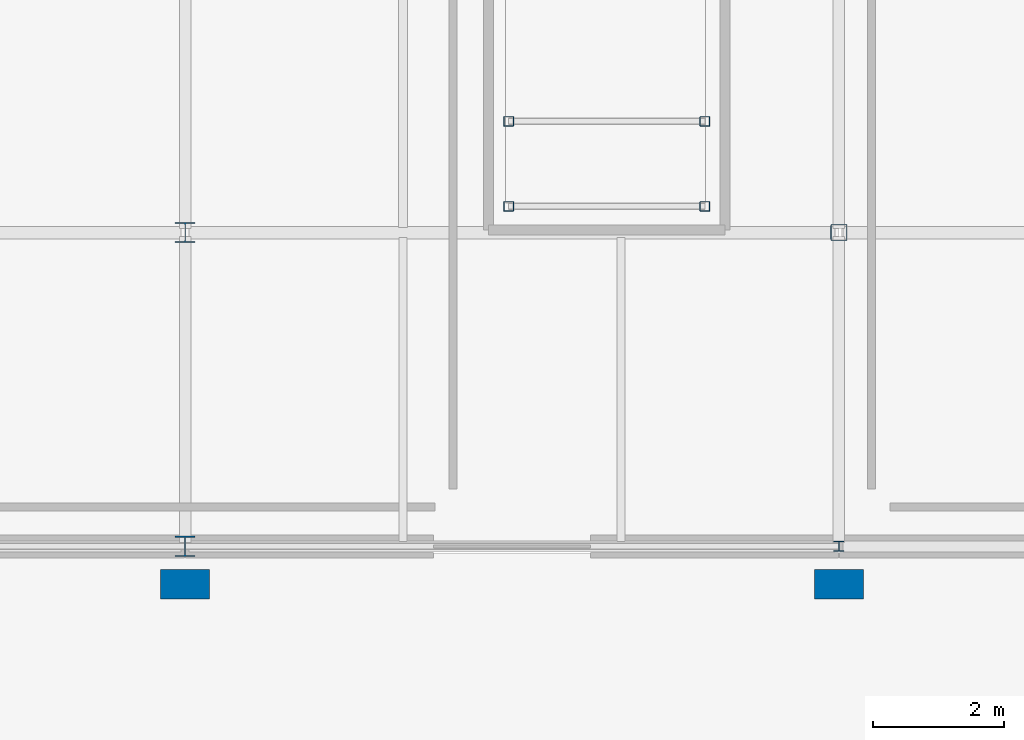
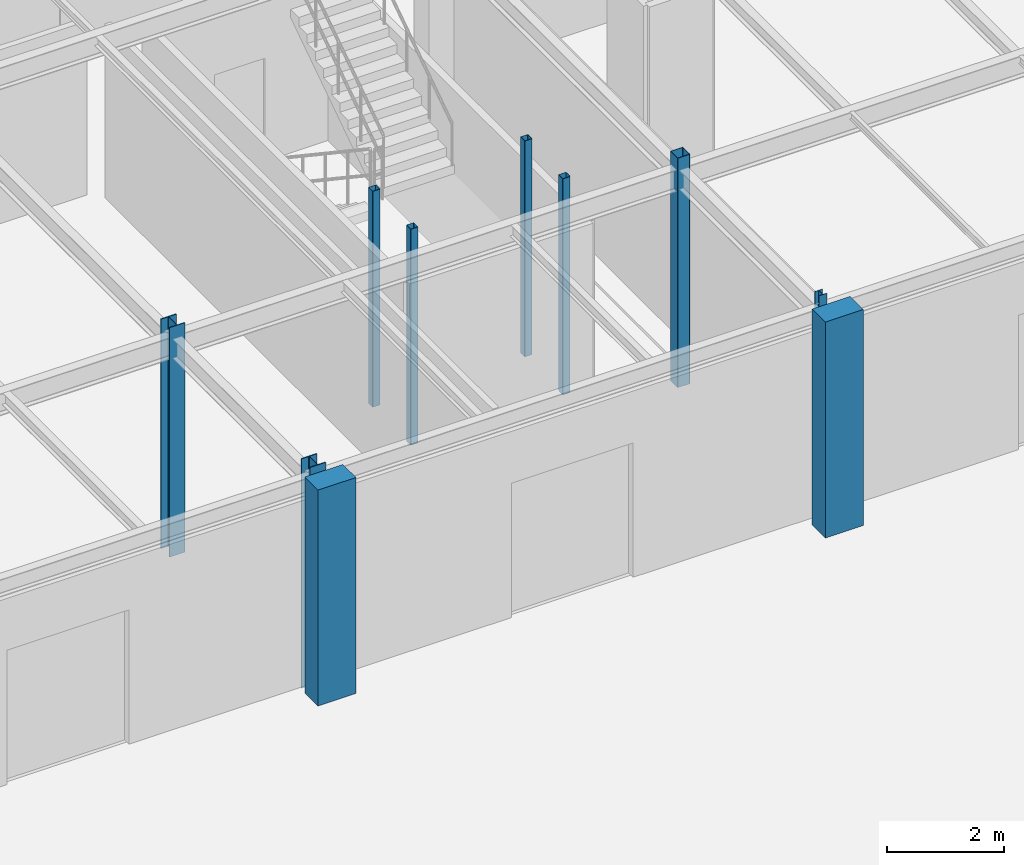
# One storey, part 38 of 119: 10 columns.
"""IFC4 building model written with IfcOpenShell, lengths in metres."""

from ifc_helpers import new_model, si_unit, derived_unit, direction, frame, origin, origin_2d_with_axis, place, context, subcontext, project, spatial, rectangle, hollow_rectangle, i_section, extrude, material, material_profile, profile_set, type_object, element, save


model = new_model("IFC4")

# Units and contexts
model_context = context("Model", 3, precision=1e-05, world=origin(), true_north=direction((0.0, 1.0)))
body_context = subcontext(model_context, "Body", "Model", "MODEL_VIEW")
ifc_project = project(units=[si_unit("LENGTHUNIT", "METRE"), si_unit("AREAUNIT", "SQUARE_METRE"), si_unit("VOLUMEUNIT", "CUBIC_METRE"), si_unit("PLANEANGLEUNIT", "RADIAN"), si_unit("MASSUNIT", "GRAM", prefix="KILO"), derived_unit("THERMALTRANSMITTANCEUNIT", [(si_unit("POWERUNIT", "WATT"), 1), (si_unit("LENGTHUNIT", "METRE"), -2), (si_unit("THERMODYNAMICTEMPERATUREUNIT", "KELVIN"), -1)])], contexts=[model_context])

# Site, building, storey
site_placement = place(None, origin())
site = spatial("IfcSite", under=ifc_project, at=site_placement, CompositionType="ELEMENT")
building_placement = place(site_placement, origin())
building = spatial("IfcBuilding", under=site, at=building_placement, Name="Cinnabar Yard Market Hall", CompositionType="ELEMENT")
storey_placement = place(building_placement, origin())
storey = spatial("IfcBuildingStorey", under=building, at=storey_placement, Name="L00", CompositionType="ELEMENT", Elevation=0.0)

# Columns
ifc_material_1 = material(Name="Steel Grade 300 (300 MPa)", Category="steel")
ifc_material_profile_1 = material_profile(ifc_material_1, i_section(OverallWidth=0.307373046875, OverallDepth=0.314697265625, WebThickness=0.011962890625, FlangeThickness=0.018798828125, FilletRadius=0.0166015625, at=origin_2d_with_axis()), Name="310UC118")
ifc_profile_set_1 = profile_set([ifc_material_profile_1], Name="Steel Grade 300 (300 MPa)")
column_type_1 = type_object("IfcColumnType", Name="COL-C08E", PredefinedType="COLUMN", material=ifc_profile_set_1)
column_1_placement = place(storey_placement, frame((136.0, 108.0, -0.280029296875), z_axis=(0.0, 0.0, 1.0), x_axis=(1.0, 0.0, 0.0)))
element("IfcColumn", 1, at=column_1_placement, inside=storey, type_object=column_type_1, Name="Wing Column V3-08-01 L00", PredefinedType="COLUMN", context=body_context, shape_type="SweptSolid", body=[
    extrude(i_section(OverallWidth=0.307373046875, OverallDepth=0.314697265625, WebThickness=0.011962890625, FlangeThickness=0.018798828125, FilletRadius=0.0166015625, at=origin_2d_with_axis()), origin(), (0.0, 0.0, 1.0), 4.780029296875),
])
ifc_material_profile_2 = material_profile(ifc_material_1, i_section(OverallWidth=0.304931640625, OverallDepth=0.30810546875, WebThickness=0.010009765625, FlangeThickness=0.015380859375, FilletRadius=0.0166015625, at=origin_2d_with_axis()), Name="310UC96.8")
ifc_profile_set_2 = profile_set([ifc_material_profile_2], Name="Steel Grade 300 (300 MPa)")
column_type_2 = type_object("IfcColumnType", Name="COL-C09", PredefinedType="COLUMN", material=ifc_profile_set_2)
column_2_placement = place(storey_placement, frame((136.0, 112.800048828125, -0.280029296875), z_axis=(0.0, 0.0, 1.0), x_axis=(1.0, 0.0, 0.0)))
element("IfcColumn", 2, at=column_2_placement, inside=storey, type_object=column_type_2, Name="Wing Column V3-08-02 L00", PredefinedType="COLUMN", context=body_context, shape_type="SweptSolid", body=[
    extrude(i_section(OverallWidth=0.304931640625, OverallDepth=0.30810546875, WebThickness=0.010009765625, FlangeThickness=0.015380859375, FilletRadius=0.0166015625, at=origin_2d_with_axis()), origin(), (0.0, 0.0, 1.0), 4.780029296875),
])
ifc_material_2 = material(Name="Cold-formed steel C350L0", Category="steel")
ifc_material_profile_3 = material_profile(ifc_material_2, hollow_rectangle(XDim=0.14990234375, YDim=0.14990234375, WallThickness=0.006103515625, InnerFilletRadius=0.006103515625, OuterFilletRadius=0.011962890625, at=origin_2d_with_axis()), Name="150x150x6.0SHS")
ifc_profile_set_3 = profile_set([ifc_material_profile_3], Name="Cold-formed steel C350L0")
column_type_3 = type_object("IfcColumnType", Name="COL-C16", PredefinedType="COLUMN", material=ifc_profile_set_3)
for number, where, z_axis, x_axis, name in (
    (3, (140.949951171875, 113.199951171875, 0.0), (0.0, 0.0, 1.0), (1.0, 0.0, 0.0), "Feature Stair Post ST-F6-1 L00"),
    (4, (143.949951171875, 113.199951171875, 0.0), (0.0, 0.0, 1.0), (1.0, 0.0, 0.0), "Feature Stair Post ST-F6-2 L00"),
    (5, (140.949951171875, 114.5, 0.0), (0.0, 0.0, 1.0), (1.0, 0.0, 0.0), "Feature Stair Post ST-F6-3 L00"),
    (6, (143.949951171875, 114.5, 0.0), (0.0, 0.0, 1.0), (1.0, 0.0, 0.0), "Feature Stair Post ST-F6-4 L00"),
):
    element("IfcColumn", number, at=place(storey_placement, frame(where, z_axis=z_axis, x_axis=x_axis)), inside=storey, type_object=column_type_3, Name=name, PredefinedType="COLUMN", context=body_context, shape_type="SweptSolid", body=[
        extrude(hollow_rectangle(XDim=0.14990234375, YDim=0.14990234375, WallThickness=0.006103515625, InnerFilletRadius=0.006103515625, OuterFilletRadius=0.011962890625, at=origin_2d_with_axis()), origin(), (0.0, 0.0, 1.0), 4.5),
    ])
ifc_material_profile_4 = material_profile(ifc_material_1, i_section(OverallWidth=0.152099609375, OverallDepth=0.15234375, WebThickness=0.005859375, FlangeThickness=0.0068359375, FilletRadius=0.0087890625, at=origin_2d_with_axis()), Name="150UC23.4")
ifc_profile_set_4 = profile_set([ifc_material_profile_4], Name="Steel Grade 300 (300 MPa)")
column_type_4 = type_object("IfcColumnType", Name="COL-C19E", PredefinedType="COLUMN", material=ifc_profile_set_4)
column_3_placement = place(storey_placement, frame((146.0, 108.0, -0.280029296875), z_axis=(0.0, 0.0, 1.0), x_axis=(1.0, 0.0, 0.0)))
element("IfcColumn", 7, at=column_3_placement, inside=storey, type_object=column_type_4, Name="Wing Column V3-09-01 L00", PredefinedType="COLUMN", context=body_context, shape_type="SweptSolid", body=[
    extrude(i_section(OverallWidth=0.152099609375, OverallDepth=0.15234375, WebThickness=0.005859375, FlangeThickness=0.0068359375, FilletRadius=0.0087890625, at=origin_2d_with_axis()), origin(), (0.0, 0.0, 1.0), 4.780029296875),
])
ifc_material_profile_5 = material_profile(ifc_material_2, hollow_rectangle(XDim=0.25, YDim=0.25, WallThickness=0.009033203125, InnerFilletRadius=0.009033203125, OuterFilletRadius=0.01806640625, at=origin_2d_with_axis()), Name="250x250x9.0SHS")
ifc_profile_set_5 = profile_set([ifc_material_profile_5], Name="Cold-formed steel C350L0")
column_type_5 = type_object("IfcColumnType", Name="COL-C20", PredefinedType="COLUMN", material=ifc_profile_set_5)
column_4_placement = place(storey_placement, frame((146.0, 112.800048828125, -0.280029296875), z_axis=(0.0, 0.0, 1.0), x_axis=(1.0, 0.0, 0.0)))
element("IfcColumn", 8, at=column_4_placement, inside=storey, type_object=column_type_5, Name="Wing Column V3-09-02 L00", PredefinedType="COLUMN", context=body_context, shape_type="SweptSolid", body=[
    extrude(hollow_rectangle(XDim=0.25, YDim=0.25, WallThickness=0.009033203125, InnerFilletRadius=0.009033203125, OuterFilletRadius=0.01806640625, at=origin_2d_with_axis()), origin(), (0.0, 0.0, 1.0), 4.780029296875),
])
ifc_material_3 = material(Name="Concrete 40 MPa", Category="concrete")
ifc_material_profile_6 = material_profile(ifc_material_3, rectangle(XDim=0.75, YDim=0.449951171875, at=origin_2d_with_axis()), Name="RC-750x450")
ifc_profile_set_6 = profile_set([ifc_material_profile_6], Name="Concrete 40 MPa")
column_type_6 = type_object("IfcColumnType", Name="COL-PIL1E", PredefinedType="PILASTER", material=ifc_profile_set_6)
for number, where, z_axis, x_axis, name in (
    (9, (136.0, 107.419921875, 0.0), (0.0, 0.0, 1.0), (1.0, 0.0, 0.0), "Engaged Pilaster 06 L00"),
    (10, (146.0, 107.419921875, 0.0), (0.0, 0.0, 1.0), (1.0, 0.0, 0.0), "Engaged Pilaster 07 L00"),
):
    element("IfcColumn", number, at=place(storey_placement, frame(where, z_axis=z_axis, x_axis=x_axis)), inside=storey, type_object=column_type_6, Name=name, PredefinedType="PILASTER", context=body_context, shape_type="SweptSolid", body=[
        extrude(rectangle(XDim=0.75, YDim=0.449951171875, at=origin_2d_with_axis()), origin(), (0.0, 0.0, 1.0), 4.5),
    ])

save(model, "model.ifc")
